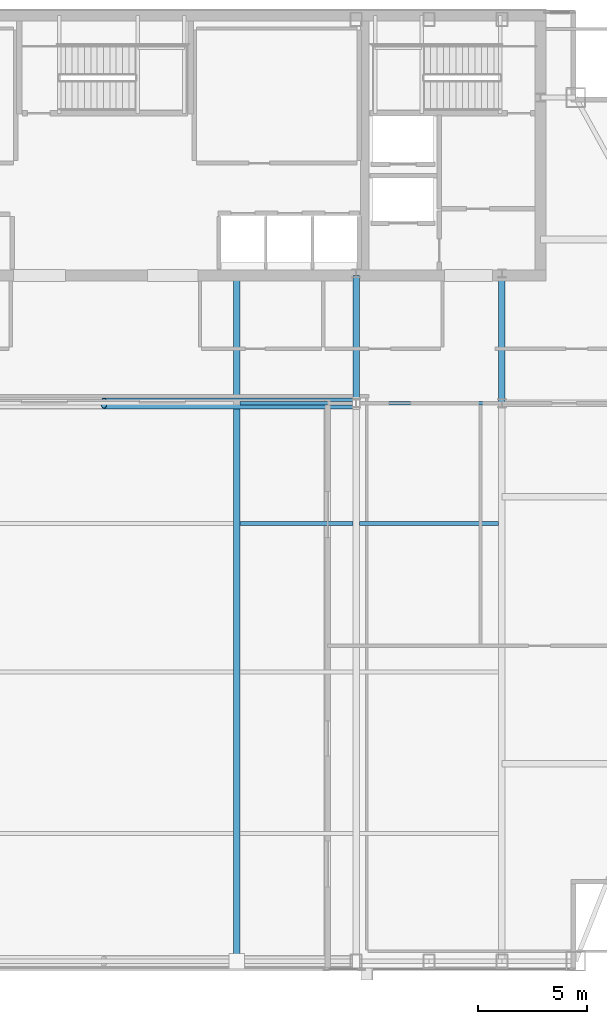
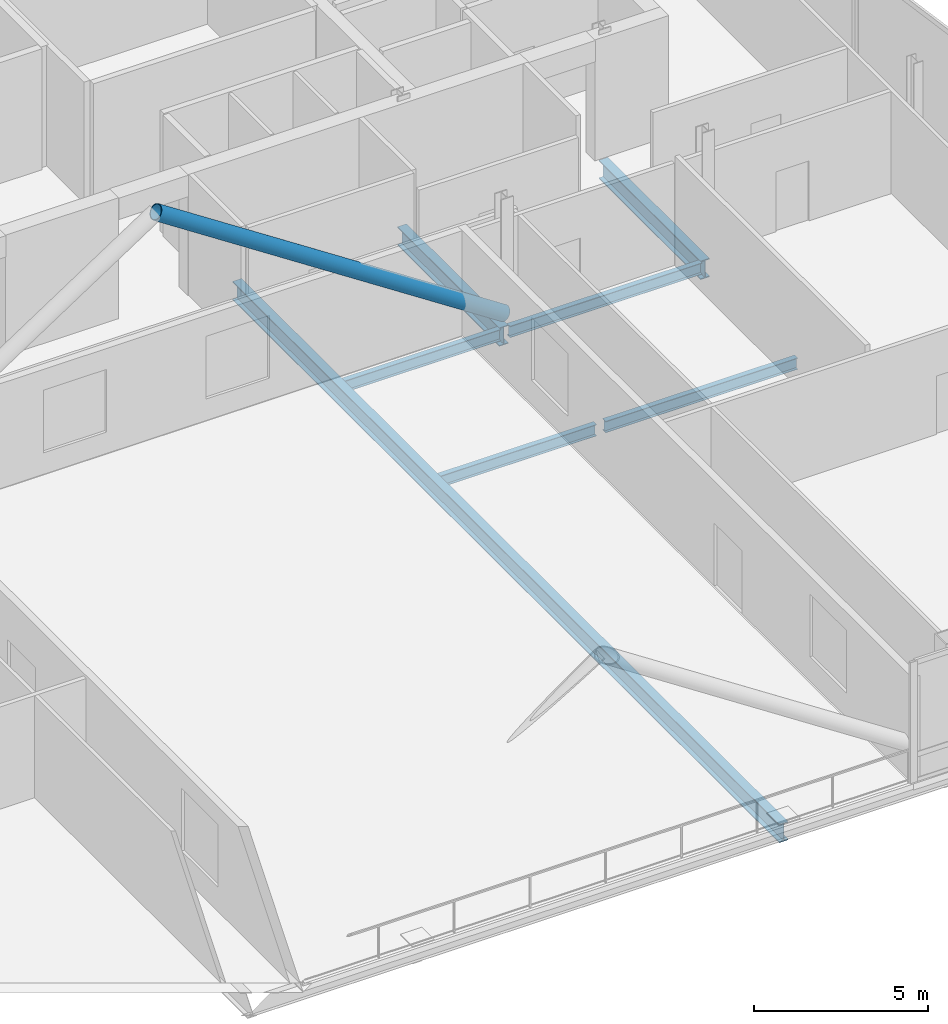
# One storey, part 15 of 27: 7 beams, 1 member.
"""IFC4 building model written with IfcOpenShell, lengths in metres."""

from ifc_helpers import new_model, si_unit, direction, frame, origin, origin_2d, place, context, subcontext, project, spatial, hollow_circle, i_section, extrude, material, material_profile, profile_set, type_object, element, save


model = new_model("IFC4")

# Units and contexts
model_context = context("Model", 3, precision=1e-05, world=origin(), true_north=direction((0.0, 1.0)))
body_context = subcontext(model_context, "Body", "Model", "MODEL_VIEW")
ifc_project = project(units=[si_unit("LENGTHUNIT", "METRE"), si_unit("AREAUNIT", "SQUARE_METRE"), si_unit("VOLUMEUNIT", "CUBIC_METRE"), si_unit("PLANEANGLEUNIT", "RADIAN"), si_unit("MASSUNIT", "GRAM", prefix="KILO")], contexts=[model_context])

# Site, building, storey
site_placement = place(None, origin())
site = spatial("IfcSite", under=ifc_project, at=site_placement, CompositionType="ELEMENT")
building_placement = place(site_placement, origin())
building = spatial("IfcBuilding", under=site, at=building_placement, Name="Khoronbel Lancet Exchange", CompositionType="ELEMENT")
storey_placement = place(building_placement, frame((0.0, 0.0, 305.800048828125)))
storey = spatial("IfcBuildingStorey", under=building, at=storey_placement, Name="L79", CompositionType="ELEMENT", Elevation=305.800048828125)

# Beams
ifc_material = material(Name="Steel S355", Category="steel")
ifc_material_profile_1 = material_profile(ifc_material, i_section(OverallWidth=0.300048828125, OverallDepth=0.64990234375, WebThickness=0.01611328125, FlangeThickness=0.031005859375, at=origin_2d()), Name="HEB 650")
ifc_profile_set_1 = profile_set([ifc_material_profile_1], Name="Steel S355")
beam_type_1 = type_object("IfcBeamType", Name="BM-BG4", PredefinedType="BEAM", material=ifc_profile_set_1)
beam_1_placement = place(storey_placement, frame((42.52490234375, 10.14990234375, -0.545166015625), z_axis=(0.0, 1.0, 0.0), x_axis=(-1.0, 0.0, 0.0)))
element("IfcBeam", 1, at=beam_1_placement, inside=storey, type_object=beam_type_1, Name="Level L79 primary floor girder G4", PredefinedType="BEAM", context=body_context, shape_type="SweptSolid", body=[
    extrude(i_section(OverallWidth=0.300048828125, OverallDepth=0.64990234375, WebThickness=0.01611328125, FlangeThickness=0.031005859375, at=origin_2d()), origin(), (0.0, 0.0, 1.0), 31.400146484375),
])
for number, where, z_axis, x_axis, name in (
    (2, (48.0, 35.699951171875, -0.545166015625), (0.0, 1.0, 0.0), (-1.0, 0.0, 0.0), "Level L79 spine tie girder GN5"),
    (3, (54.675048828125, 35.699951171875, -0.545166015625), (0.0, 1.0, 0.0), (-1.0, 0.0, 0.0), "Level L79 spine tie girder GN6"),
):
    element("IfcBeam", number, at=place(storey_placement, frame(where, z_axis=z_axis, x_axis=x_axis)), inside=storey, type_object=beam_type_1, Name=name, PredefinedType="BEAM", context=body_context, shape_type="SweptSolid", body=[
        extrude(i_section(OverallWidth=0.300048828125, OverallDepth=0.64990234375, WebThickness=0.01611328125, FlangeThickness=0.031005859375, at=origin_2d()), origin(), (0.0, 0.0, 1.0), 5.85009765625),
    ])
ifc_material_profile_2 = material_profile(ifc_material, i_section(OverallWidth=0.179931640625, OverallDepth=0.39990234375, WebThickness=0.008544921875, FlangeThickness=0.013427734375, at=origin_2d()), Name="IPE 400")
ifc_profile_set_2 = profile_set([ifc_material_profile_2], Name="Steel S355")
beam_type_2 = type_object("IfcBeamType", Name="BM-BJ5", PredefinedType="JOIST", material=ifc_profile_set_2)
beam_2_placement = place(storey_placement, frame((42.675048828125, 30.199951171875, -0.420166015625), z_axis=(1.0, 0.0, 0.0), x_axis=(0.0, 1.0, 0.0)))
element("IfcBeam", 4, at=beam_2_placement, inside=storey, type_object=beam_type_2, Name="Level L79 secondary composite joist J14", PredefinedType="JOIST", context=body_context, shape_type="SweptSolid", body=[
    extrude(i_section(OverallWidth=0.179931640625, OverallDepth=0.39990234375, WebThickness=0.008544921875, FlangeThickness=0.013427734375, at=origin_2d()), origin(), (0.0, 0.0, 1.0), 5.175048828125),
])
beam_3_placement = place(storey_placement, frame((48.14990234375, 30.199951171875, -0.420166015625), z_axis=(1.0, 0.0, 0.0), x_axis=(0.0, 1.0, 0.0)))
element("IfcBeam", 5, at=beam_3_placement, inside=storey, type_object=beam_type_2, Name="Level L79 secondary composite joist J15", PredefinedType="JOIST", context=body_context, shape_type="SweptSolid", body=[
    extrude(i_section(OverallWidth=0.179931640625, OverallDepth=0.39990234375, WebThickness=0.008544921875, FlangeThickness=0.013427734375, at=origin_2d()), origin(), (0.0, 0.0, 1.0), 6.375),
])
beam_4_placement = place(storey_placement, frame((42.675048828125, 35.699951171875, -0.420166015625), z_axis=(1.0, 0.0, 0.0), x_axis=(0.0, 1.0, 0.0)))
element("IfcBeam", 6, at=beam_4_placement, inside=storey, type_object=beam_type_2, Name="Level L79 secondary composite joist J19", PredefinedType="JOIST", context=body_context, shape_type="SweptSolid", body=[
    extrude(i_section(OverallWidth=0.179931640625, OverallDepth=0.39990234375, WebThickness=0.008544921875, FlangeThickness=0.013427734375, at=origin_2d()), origin(), (0.0, 0.0, 1.0), 5.175048828125),
])
beam_5_placement = place(storey_placement, frame((48.14990234375, 35.699951171875, -0.420166015625), z_axis=(1.0, 0.0, 0.0), x_axis=(0.0, 1.0, 0.0)))
element("IfcBeam", 7, at=beam_5_placement, inside=storey, type_object=beam_type_2, Name="Level L79 secondary composite joist J20", PredefinedType="JOIST", context=body_context, shape_type="SweptSolid", body=[
    extrude(i_section(OverallWidth=0.179931640625, OverallDepth=0.39990234375, WebThickness=0.008544921875, FlangeThickness=0.013427734375, at=origin_2d()), origin(), (0.0, 0.0, 1.0), 6.375),
])

# Member
ifc_material_profile_3 = material_profile(ifc_material, hollow_circle(Radius=0.25390625, WallThickness=0.02490234375, at=origin_2d()), Name="CHS 508x25")
ifc_profile_set_3 = profile_set([ifc_material_profile_3], Name="Steel S355")
member_type = type_object("IfcMemberType", Name="MEM-STR1", PredefinedType="STRUT", material=ifc_profile_set_3)
member_placement = place(storey_placement, frame((48.0, 35.699951171875, 0.25), z_axis=(-0.83571173389, 0.0, 0.549168369299), x_axis=(0.0, -1.0, 0.0)))
element("IfcMember", 8, at=member_placement, inside=storey, type_object=member_type, Name="Pointed-lancet wind-portal strut N-E", PredefinedType="STRUT", context=body_context, shape_type="SweptSolid", body=[
    extrude(hollow_circle(Radius=0.25390625, WallThickness=0.02490234375, at=origin_2d()), origin(), (0.0, 0.0, 1.0), 13.820556640625),
])

save(model, "model.ifc")
